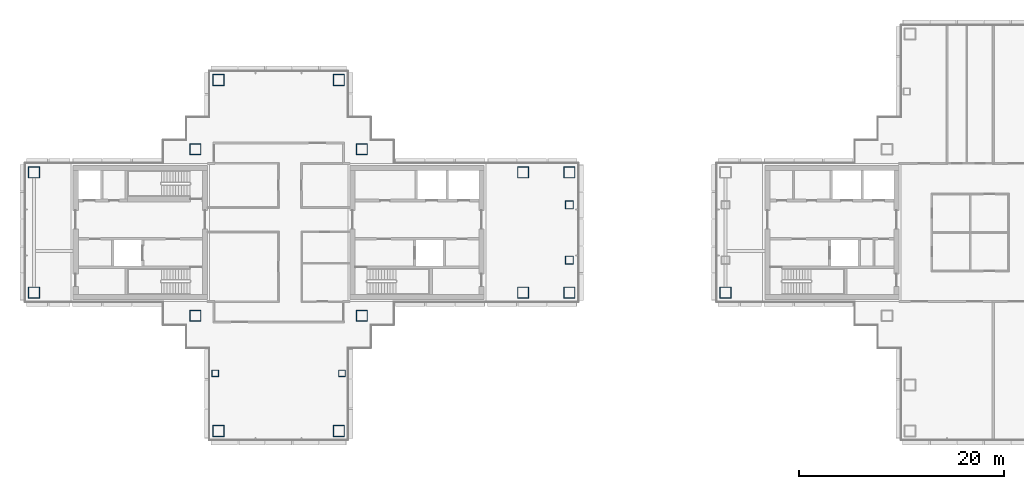
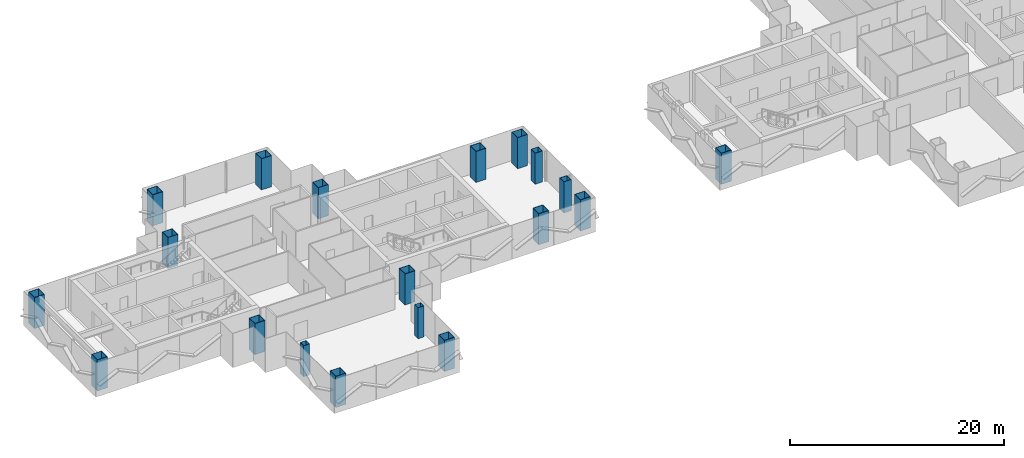
# One storey, part 1 of 16: 19 columns.
"""IFC4 building model written with IfcOpenShell, lengths in metres."""

from ifc_helpers import new_model, si_unit, direction, frame, origin, origin_2d, place, context, subcontext, project, spatial, hollow_rectangle, extrude, material, material_profile, profile_set, type_object, element, save


model = new_model("IFC4")

# Units and contexts
model_context = context("Model", 3, precision=1e-05, world=origin(), true_north=direction((0.0, 1.0)))
body_context = subcontext(model_context, "Body", "Model", "MODEL_VIEW")
ifc_project = project(units=[si_unit("LENGTHUNIT", "METRE"), si_unit("AREAUNIT", "SQUARE_METRE"), si_unit("VOLUMEUNIT", "CUBIC_METRE"), si_unit("PLANEANGLEUNIT", "RADIAN"), si_unit("MASSUNIT", "GRAM", prefix="KILO")], contexts=[model_context])

# Site, building, storey
site_placement = place(None, origin())
site = spatial("IfcSite", under=ifc_project, at=site_placement, CompositionType="ELEMENT")
building_placement = place(site_placement, origin())
building = spatial("IfcBuilding", under=site, at=building_placement, Name="Shamsa Quay Exchange Towers", CompositionType="ELEMENT")
storey_placement = place(building_placement, frame((0.0, 0.0, 146.699951171875)))
storey = spatial("IfcBuildingStorey", under=building, at=storey_placement, Name="L34", CompositionType="ELEMENT", Elevation=146.699951171875)

# Columns
ifc_material_1 = material(Name="Concrete-filled steel tube S355 / C80/95", Category="concrete")
ifc_material_profile_1 = material_profile(ifc_material_1, hollow_rectangle(XDim=1.10009765625, YDim=1.10009765625, WallThickness=0.0400390625, at=origin_2d()), Name="CFT 1100x1100x40")
ifc_profile_set_1 = profile_set([ifc_material_profile_1], Name="Concrete-filled steel tube S355 / C80/95")
column_type_1 = type_object("IfcColumnType", Name="Column CFT 1100x1100x40", PredefinedType="COLUMN", material=ifc_profile_set_1)
for number, where, name in (
    (1, (-25.625, 8.125, 0.0), "Mega column T1-CM01"),
    (2, (-25.625, -8.125, 0.0), "Mega column T1-CM02"),
    (3, (-41.875, 8.125, 0.0), "Mega column T1-CM03"),
    (4, (-41.875, -8.125, 0.0), "Mega column T1-CM04"),
    (5, (-9.875, -5.875, 0.0), "Mega column T1-CM05"),
    (6, (-5.375, -5.875, 0.0), "Mega column T1-CM06"),
    (7, (-9.875, 5.875, 0.0), "Mega column T1-CM07"),
    (8, (-5.375, 5.875, 0.0), "Mega column T1-CM08"),
    (9, (-57.625, -5.875, 0.0), "Mega column T1-CM09"),
    (10, (-57.625, 5.875, 0.0), "Mega column T1-CM11"),
    (11, (-39.625, 14.875, 0.0), "Mega column T1-CM13"),
    (12, (-27.875, 14.875, 0.0), "Mega column T1-CM16"),
    (13, (-39.625, -19.375, 0.0), "Mega column T1-CM20"),
    (14, (-27.875, -19.375, 0.0), "Mega column T1-CM23"),
    (15, (9.875, -5.875, 0.0), "Mega column T2-CM19"),
):
    element("IfcColumn", number, at=place(storey_placement, frame(where)), inside=storey, type_object=column_type_1, Name=name, PredefinedType="COLUMN", context=body_context, shape_type="SweptSolid", body=[
        extrude(hollow_rectangle(XDim=1.10009765625, YDim=1.10009765625, WallThickness=0.0400390625, at=origin_2d()), origin(), (0.0, 0.0, 1.0), 3.550048828125),
    ])
ifc_material_2 = material(Name="Concrete-filled steel tube S355 / C60/75", Category="concrete")
ifc_material_profile_2 = material_profile(ifc_material_2, hollow_rectangle(XDim=0.64990234375, YDim=0.64990234375, WallThickness=0.02001953125, at=origin_2d()), Name="CFT 650x650x20")
ifc_profile_set_2 = profile_set([ifc_material_profile_2], Name="Concrete-filled steel tube S355 / C60/75")
column_type_2 = type_object("IfcColumnType", Name="Column CFT 650x650x20", PredefinedType="COLUMN", material=ifc_profile_set_2)
for number, where, name in (
    (16, (-39.9375, -13.75, 0.0), "Perimeter column T1-CP19"),
    (17, (-27.5625, -13.75, 0.0), "Perimeter column T1-CP22"),
):
    element("IfcColumn", number, at=place(storey_placement, frame(where)), inside=storey, type_object=column_type_2, Name=name, PredefinedType="COLUMN", context=body_context, shape_type="SweptSolid", body=[
        extrude(hollow_rectangle(XDim=0.64990234375, YDim=0.64990234375, WallThickness=0.02001953125, at=origin_2d()), origin(), (0.0, 0.0, 1.0), 3.550048828125),
    ])
ifc_material_3 = material(Name="Concrete-filled steel tube S355 / C70/85", Category="concrete")
ifc_material_profile_3 = material_profile(ifc_material_3, hollow_rectangle(XDim=0.800048828125, YDim=0.800048828125, WallThickness=0.030029296875, at=origin_2d()), Name="CFT 800x800x30")
ifc_profile_set_3 = profile_set([ifc_material_profile_3], Name="Concrete-filled steel tube S355 / C70/85")
column_type_3 = type_object("IfcColumnType", Name="Landing column CFT 800x800x30", PredefinedType="COLUMN", material=ifc_profile_set_3)
for number, where, name in (
    (18, (-5.375, -2.699951171875, 0.0), "Landing column T1 S"),
    (19, (-5.375, 2.699951171875, 0.0), "Landing column T1 N"),
):
    element("IfcColumn", number, at=place(storey_placement, frame(where)), inside=storey, type_object=column_type_3, Name=name, PredefinedType="COLUMN", context=body_context, shape_type="SweptSolid", body=[
        extrude(hollow_rectangle(XDim=0.800048828125, YDim=0.800048828125, WallThickness=0.030029296875, at=origin_2d()), origin(), (0.0, 0.0, 1.0), 3.550048828125),
    ])

save(model, "model.ifc")
